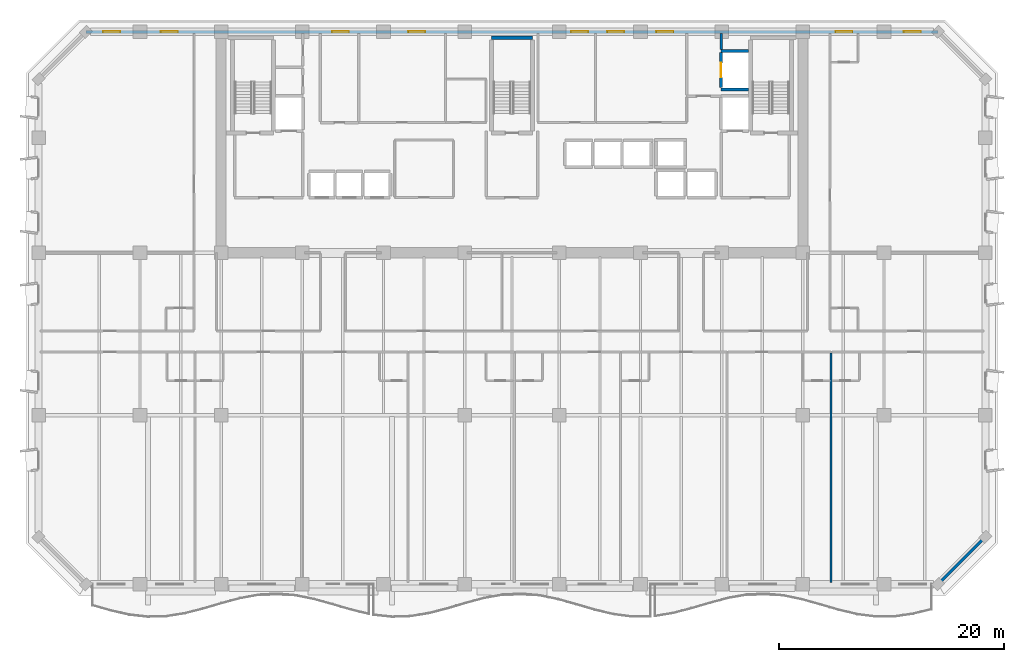
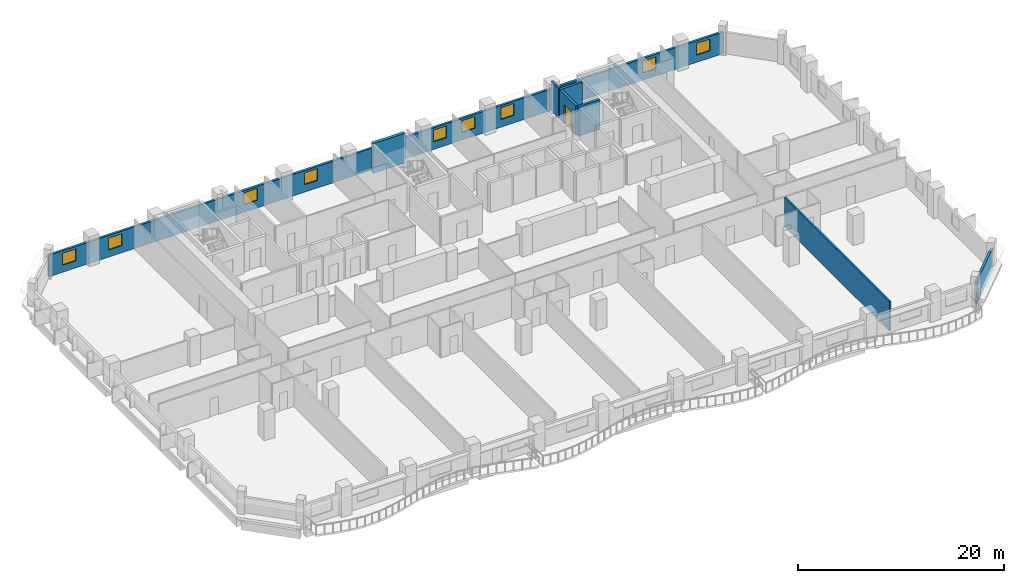
# One storey, part 8 of 14: 9 windows, 8 walls, 1 door, 10 openings.
"""IFC4 building model written with IfcOpenShell, lengths in metres."""

import ifcopenshell
import ifcopenshell.guid

model = None  # the IFC model being written
_history = None  # IfcOwnerHistory: only IFC2X3 demands one
_inside = {}  # id of a spatial element -> (the spatial element, [elements in it])
_under = {}  # id of a project, library or spatial element -> (it, [spatial elements below it])
_declared = {}  # id of a project -> (the project, [libraries it declares])
_typed = {}  # id of a type object -> (the type object, [elements of that type])
_made_of = {}  # id of a material, layer set ... -> (it, [elements and type objects made of it])


def new_model(schema):
    """Start an empty IFC model of exactly this schema.

    Asked for "IFC4X3", IfcOpenShell would pick the latest addendum, in which some entities
    have other attributes; the version numbers below select the first issue.
    IFC2X3 requires an IfcOwnerHistory on every rooted entity: one is made here for all.
    """
    global model, _history
    if schema == "IFC4X3":
        model = ifcopenshell.file(schema_version=(4, 3, 0, 0))
    else:
        model = ifcopenshell.file(schema=schema)
    _inside.clear()
    _under.clear()
    _declared.clear()
    _typed.clear()
    _made_of.clear()
    _history = None
    if model.schema == "IFC2X3":
        org = make("IfcOrganization", Name="unknown")
        user = make(
            "IfcPersonAndOrganization",
            ThePerson=make("IfcPerson", FamilyName="unknown"),
            TheOrganization=org,
        )
        app = make(
            "IfcApplication",
            ApplicationDeveloper=org,
            Version="unknown",
            ApplicationFullName="unknown",
            ApplicationIdentifier="unknown",
        )
        _history = make(
            "IfcOwnerHistory",
            OwningUser=user,
            OwningApplication=app,
            ChangeAction="ADDED",
            CreationDate=0,
        )
    return model


def make(cls, **values):
    """One entity of the class cls with the attributes given. An attribute that is None is left unset."""
    return model.create_entity(
        cls, **{name: value for name, value in values.items() if value is not None}
    )


def rooted(cls, **values):
    """An entity with a GlobalId (a new one), such as an element, a storey or a relation."""
    return make(cls, GlobalId=ifcopenshell.guid.new(), OwnerHistory=_history, **values)


def si_unit(unit_type, name, prefix=None):
    """IfcSIUnit, for example si_unit("LENGTHUNIT", "METRE", prefix="MILLI")."""
    return make("IfcSIUnit", UnitType=unit_type, Prefix=prefix, Name=name)


def assignment(units):
    """IfcUnitAssignment: the units of a project."""
    return None if units is None else make("IfcUnitAssignment", Units=units)


def point(xyz):
    """IfcCartesianPoint."""
    return None if xyz is None else make("IfcCartesianPoint", Coordinates=xyz)


def direction(xyz):
    """IfcDirection."""
    return None if xyz is None else make("IfcDirection", DirectionRatios=xyz)


def frame(location, z_axis=None, x_axis=None):
    """IfcAxis2Placement3D, a coordinate frame: its origin and axes. An axis left out is left unset."""
    return make(
        "IfcAxis2Placement3D",
        Location=point(location),
        Axis=direction(z_axis),
        RefDirection=direction(x_axis),
    )


def frame_2d(location, x_axis=None):
    """IfcAxis2Placement2D, a coordinate frame in the plane: its origin and x axis."""
    return make(
        "IfcAxis2Placement2D", Location=point(location), RefDirection=direction(x_axis)
    )


def origin():
    """The frame at (0, 0, 0) with its axes left unset."""
    return frame((0.0, 0.0, 0.0))


def place(relative_to, where):
    """IfcLocalPlacement: puts the frame where relative to a parent placement (None: the world)."""
    return make(
        "IfcLocalPlacement", PlacementRelTo=relative_to, RelativePlacement=where
    )


def context(
    kind, dimensions, precision=None, world=None, true_north=None, identifier=None
):
    """IfcGeometricRepresentationContext, for example the 3D "Model" context."""
    return make(
        "IfcGeometricRepresentationContext",
        ContextIdentifier=identifier,
        ContextType=kind,
        CoordinateSpaceDimension=dimensions,
        Precision=precision,
        WorldCoordinateSystem=world,
        TrueNorth=true_north,
    )


def subcontext(parent, identifier, kind, view, scale=None):
    """IfcGeometricRepresentationSubContext, for example "Body" below "Model"."""
    return make(
        "IfcGeometricRepresentationSubContext",
        ContextIdentifier=identifier,
        ContextType=kind,
        ParentContext=parent,
        TargetScale=scale,
        TargetView=view,
    )


def project(units=None, contexts=None):
    """IfcProject with its units and contexts."""
    return rooted(
        "IfcProject",
        Name="project",
        RepresentationContexts=contexts,
        UnitsInContext=assignment(units),
    )


def spatial(cls, under=None, at=None, **own):
    """A site, building, storey or space (cls), placed at a placement, below another one or the project."""
    s = rooted(cls, ObjectPlacement=at, **own)
    if under is not None:
        _under.setdefault(under.id(), (under, []))[1].append(s)
    return s


def profile(cls, at=None, kind="AREA", **sizes):
    """A parametric profile (cls). Its sizes go by their IFC names, for example OverallWidth=200.0."""
    return make(cls, ProfileType=kind, Position=at, **sizes)


def rectangle(**sizes):
    """IfcRectangleProfileDef."""
    return profile("IfcRectangleProfileDef", **sizes)


def extrude(swept, where, along, depth):
    """IfcExtrudedAreaSolid: the profile swept, set in the frame where, extruded along a direction by depth."""
    return make(
        "IfcExtrudedAreaSolid",
        SweptArea=swept,
        Position=where,
        ExtrudedDirection=direction(along),
        Depth=depth,
    )


def shape(context_of_items, identifier, shape_type, items):
    """IfcShapeRepresentation: the items that make up one representation, for example the "Body"."""
    return make(
        "IfcShapeRepresentation",
        ContextOfItems=context_of_items,
        RepresentationIdentifier=identifier,
        RepresentationType=shape_type,
        Items=items,
    )


def material(Name=None, Category=None):
    """IfcMaterial."""
    return make("IfcMaterial", Name=Name, Category=Category)


def layer(
    of_material, thickness, ventilated=None, Name=None, Category=None, Priority=None
):
    """IfcMaterialLayer: one layer of a wall or slab, of a material (None: an air gap)."""
    return make(
        "IfcMaterialLayer",
        Material=of_material,
        LayerThickness=thickness,
        IsVentilated=ventilated,
        Name=Name,
        Category=Category,
        Priority=Priority,
    )


def layer_set(layers, Name=None):
    """IfcMaterialLayerSet."""
    return make("IfcMaterialLayerSet", MaterialLayers=layers, LayerSetName=Name)


def made_of(thing, what):
    """Note that an element or type object is made of a material, layer set ...; save() writes the relation."""
    if what is not None:
        _made_of.setdefault(what.id(), (what, []))[1].append(thing)
    return thing


def type_object(cls, material=None, **own):
    """A type object (cls), such as IfcWallType, which elements share."""
    return made_of(rooted(cls, **own), material)


def element(
    cls,
    number,
    at=None,
    inside=None,
    cuts=None,
    type_object=None,
    material=None,
    context=None,
    identifier="Body",
    shape_type=None,
    held_by="IfcProductDefinitionShape",
    body=None,
    shapes=None,
    **own,
):
    """One element of the class cls, such as IfcWall. Its Tag is "e" and its number.

    at: its placement. inside: the storey or other place that contains it. cuts: it is an
    opening in that element (IfcRelVoidsElement). A single representation is given by context,
    identifier, shape_type and body (its items); several are given by shapes. held_by: the class
    of the entity that holds the representations. save() writes the other relations.
    """
    e = rooted(cls, Tag="e%d" % number, ObjectPlacement=at, **own)
    if body is not None:
        shapes = [shape(context, identifier, shape_type, body)]
    if shapes is not None:
        e.Representation = make(held_by, Representations=shapes)
    if inside is not None:
        _inside.setdefault(inside.id(), (inside, []))[1].append(e)
    if cuts is not None:
        rooted(
            "IfcRelVoidsElement", RelatingBuildingElement=cuts, RelatedOpeningElement=e
        )
    if type_object is not None:
        _typed.setdefault(type_object.id(), (type_object, []))[1].append(e)
    return made_of(e, material)


def fill(opening, filler):
    """IfcRelFillsElement: the door or window that sits in an opening."""
    return rooted(
        "IfcRelFillsElement",
        RelatingOpeningElement=opening,
        RelatedBuildingElement=filler,
    )


def aggregate(whole, parts):
    """IfcRelAggregates: a whole, such as a stair, and the parts it consists of."""
    return rooted("IfcRelAggregates", RelatingObject=whole, RelatedObjects=parts)


def save(model, path):
    """Write the relations noted so far, then the file.

    IfcRelAggregates (storeys below a building ...), IfcRelContainedInSpatialStructure (elements
    in a storey), IfcRelDefinesByType, IfcRelAssociatesMaterial and IfcRelDeclares: one each for
    every whole, place, type object, material and project.
    """
    for whole, parts in _under.values():
        aggregate(whole, parts)
    for where, things in _inside.values():
        rooted(
            "IfcRelContainedInSpatialStructure",
            RelatedElements=things,
            RelatingStructure=where,
        )
    for kind, things in _typed.values():
        rooted("IfcRelDefinesByType", RelatedObjects=things, RelatingType=kind)
    for what, things in _made_of.values():
        rooted("IfcRelAssociatesMaterial", RelatedObjects=things, RelatingMaterial=what)
    for by, libraries in _declared.values():
        rooted("IfcRelDeclares", RelatingContext=by, RelatedDefinitions=libraries)
    model.write(path)


model = new_model("IFC4")

# Units and contexts
model_context = context("Model", 3, precision=1e-05, world=origin(), true_north=direction((0.0, 1.0)))
body_context = subcontext(model_context, "Body", "Model", "MODEL_VIEW")
ifc_project = project(units=[si_unit("LENGTHUNIT", "METRE"), si_unit("AREAUNIT", "SQUARE_METRE"), si_unit("VOLUMEUNIT", "CUBIC_METRE"), si_unit("PLANEANGLEUNIT", "RADIAN"), si_unit("MASSUNIT", "GRAM", prefix="KILO")], contexts=[model_context])

# Site, building, storey
site_placement = place(None, origin())
site = spatial("IfcSite", under=ifc_project, at=site_placement, CompositionType="ELEMENT")
building_placement = place(site_placement, origin())
building = spatial("IfcBuilding", under=site, at=building_placement, Name="Kaelvorn Grand Hotel", CompositionType="ELEMENT")
storey_placement = place(building_placement, frame((0.0, 0.0, 89.300048828125)))
storey = spatial("IfcBuildingStorey", under=building, at=storey_placement, Name="L20", CompositionType="ELEMENT", Elevation=89.300048828125)

# Wall
ifc_material_1 = material(Name="Concrete C40/50", Category="concrete")
ifc_layer_1 = layer(ifc_material_1, 0.260009765625)
ifc_layer_set_1 = layer_set([ifc_layer_1], Name="Concrete C40/50")
wall_type_1 = type_object("IfcWallType", Name="WL-EXT-260-C40", PredefinedType="SOLIDWALL", material=ifc_layer_set_1)
wall_1_placement = place(storey_placement, frame((79.800048828125, 0.0, 0.0), z_axis=(0.0, 0.0, 1.0), x_axis=(0.707106781187, 0.707106781187, 0.0)))
element("IfcWall", 1, at=wall_1_placement, inside=storey, type_object=wall_type_1, Name="L20 Exterior Architectural Concrete Wall 02", PredefinedType="SOLIDWALL", context=body_context, shape_type="SweptSolid", body=[
    extrude(rectangle(XDim=5.939697265625, YDim=0.260009765625, at=frame_2d((2.9697265625, 0.0))), origin(), (0.0, 0.0, 1.0), 2.56005859375),
])

# Wall, openings, windows
wall_2_placement = place(storey_placement, frame((79.800048828125, 49.0, 0.0), z_axis=(0.0, 0.0, 1.0), x_axis=(-1.0, 0.0, 0.0)))
wall_2 = element("IfcWall", 2, at=wall_2_placement, inside=storey, type_object=wall_type_1, Name="L20 Exterior Architectural Concrete Wall 05", PredefinedType="SOLIDWALL", context=body_context, shape_type="SweptSolid", body=[
    extrude(rectangle(XDim=75.60009765625, YDim=0.260009765625, at=frame_2d((37.800048828125, 0.0))), origin(), (0.0, 0.0, 1.0), 2.56005859375),
])
opening_1_placement = place(wall_2_placement, frame((72.56494140625, 0.0, 0.85009765625)))
opening_1 = element("IfcOpeningElement", 3, at=opening_1_placement, cuts=wall_2, Name="Opening W10", PredefinedType="OPENING", context=body_context, shape_type="SweptSolid", body=[
    extrude(rectangle(XDim=1.5, YDim=1.39990234375, at=frame_2d((0.75, 0.699951171875))), frame((0.0, 0.14013671875, 0.0), z_axis=(0.0, -1.0, 0.0), x_axis=(1.0, 0.0, 0.0)), (0.0, 0.0, 1.0), 0.280029296875),
])
opening_2_placement = place(wall_2_placement, frame((67.449951171875, 0.0, 0.85009765625)))
opening_2 = element("IfcOpeningElement", 4, at=opening_2_placement, cuts=wall_2, Name="Opening W10", PredefinedType="OPENING", context=body_context, shape_type="SweptSolid", body=[
    extrude(rectangle(XDim=1.5, YDim=1.39990234375, at=frame_2d((0.75, 0.699951171875))), frame((0.0, 0.14013671875, 0.0), z_axis=(0.0, -1.0, 0.0), x_axis=(1.0, 0.0, 0.0)), (0.0, 0.0, 1.0), 0.280029296875),
])
opening_3_placement = place(wall_2_placement, frame((7.60009765625, 0.0, 0.85009765625)))
opening_3 = element("IfcOpeningElement", 5, at=opening_3_placement, cuts=wall_2, Name="Opening W10", PredefinedType="OPENING", context=body_context, shape_type="SweptSolid", body=[
    extrude(rectangle(XDim=1.5, YDim=1.39990234375, at=frame_2d((0.75, 0.699951171875))), frame((0.0, 0.14013671875, 0.0), z_axis=(0.0, -1.0, 0.0), x_axis=(1.0, 0.0, 0.0)), (0.0, 0.0, 1.0), 0.280029296875),
])
opening_4_placement = place(wall_2_placement, frame((1.534912109375, 0.0, 0.85009765625)))
opening_4 = element("IfcOpeningElement", 6, at=opening_4_placement, cuts=wall_2, Name="Opening W10", PredefinedType="OPENING", context=body_context, shape_type="SweptSolid", body=[
    extrude(rectangle(XDim=1.5, YDim=1.39990234375, at=frame_2d((0.75, 0.699951171875))), frame((0.0, 0.14013671875, 0.0), z_axis=(0.0, -1.0, 0.0), x_axis=(1.0, 0.0, 0.0)), (0.0, 0.0, 1.0), 0.280029296875),
])
opening_5_placement = place(wall_2_placement, frame((52.264892578125, 0.0, 0.89990234375)))
opening_5 = element("IfcOpeningElement", 7, at=opening_5_placement, cuts=wall_2, Name="Opening W10", PredefinedType="OPENING", context=body_context, shape_type="SweptSolid", body=[
    extrude(rectangle(XDim=1.5, YDim=1.39990234375, at=frame_2d((0.75, 0.699951171875))), frame((0.0, 0.14013671875, 0.0), z_axis=(0.0, -1.0, 0.0), x_axis=(1.0, 0.0, 0.0)), (0.0, 0.0, 1.0), 0.280029296875),
])
opening_6_placement = place(wall_2_placement, frame((45.5, 0.0, 0.89990234375)))
opening_6 = element("IfcOpeningElement", 8, at=opening_6_placement, cuts=wall_2, Name="Opening W10", PredefinedType="OPENING", context=body_context, shape_type="SweptSolid", body=[
    extrude(rectangle(XDim=1.5, YDim=1.39990234375, at=frame_2d((0.75, 0.699951171875))), frame((0.0, 0.14013671875, 0.0), z_axis=(0.0, -1.0, 0.0), x_axis=(1.0, 0.0, 0.0)), (0.0, 0.0, 1.0), 0.280029296875),
])
opening_7_placement = place(wall_2_placement, frame((31.050048828125, 0.0, 0.89990234375)))
opening_7 = element("IfcOpeningElement", 9, at=opening_7_placement, cuts=wall_2, Name="Opening W10", PredefinedType="OPENING", context=body_context, shape_type="SweptSolid", body=[
    extrude(rectangle(XDim=1.5, YDim=1.39990234375, at=frame_2d((0.75, 0.699951171875))), frame((0.0, 0.14013671875, 0.0), z_axis=(0.0, -1.0, 0.0), x_axis=(1.0, 0.0, 0.0)), (0.0, 0.0, 1.0), 0.280029296875),
])
opening_8_placement = place(wall_2_placement, frame((27.85009765625, 0.0, 0.89990234375)))
opening_8 = element("IfcOpeningElement", 10, at=opening_8_placement, cuts=wall_2, Name="Opening W10", PredefinedType="OPENING", context=body_context, shape_type="SweptSolid", body=[
    extrude(rectangle(XDim=1.5, YDim=1.39990234375, at=frame_2d((0.75, 0.699951171875))), frame((0.0, 0.14013671875, 0.0), z_axis=(0.0, -1.0, 0.0), x_axis=(1.0, 0.0, 0.0)), (0.0, 0.0, 1.0), 0.280029296875),
])
opening_9_placement = place(wall_2_placement, frame((23.485107421875, 0.0, 0.89990234375)))
opening_9 = element("IfcOpeningElement", 11, at=opening_9_placement, cuts=wall_2, Name="Opening W10", PredefinedType="OPENING", context=body_context, shape_type="SweptSolid", body=[
    extrude(rectangle(XDim=1.5, YDim=1.39990234375, at=frame_2d((0.75, 0.699951171875))), frame((0.0, 0.14013671875, 0.0), z_axis=(0.0, -1.0, 0.0), x_axis=(1.0, 0.0, 0.0)), (0.0, 0.0, 1.0), 0.280029296875),
])
ifc_material_2 = material(Name="Laminated Low-E Glass", Category="glass")
window_type = type_object("IfcWindowType", Name="WIN-COR-1500x1400", PartitioningType="SINGLE_PANEL", PredefinedType="WINDOW", material=ifc_material_2)
window_1_placement = place(opening_1_placement, origin())
window_1 = element("IfcWindow", 12, at=window_1_placement, inside=storey, type_object=window_type, Name="L20 North Wing Ribbon Window NW01", OverallHeight=1.39990234375, OverallWidth=1.5, PartitioningType="SINGLE_PANEL", PredefinedType="WINDOW", context=body_context, shape_type="SweptSolid", body=[
    extrude(rectangle(XDim=1.5, YDim=1.39990234375, at=frame_2d((0.75, 0.699951171875))), frame((0.0, 0.030029296875, 0.0), z_axis=(0.0, -1.0, 0.0), x_axis=(1.0, 0.0, 0.0)), (0.0, 0.0, 1.0), 0.06005859375),
])
fill(opening_1, window_1)
window_2_placement = place(opening_2_placement, origin())
window_2 = element("IfcWindow", 13, at=window_2_placement, inside=storey, type_object=window_type, Name="L20 North Wing Ribbon Window NW02", OverallHeight=1.39990234375, OverallWidth=1.5, PartitioningType="SINGLE_PANEL", PredefinedType="WINDOW", context=body_context, shape_type="SweptSolid", body=[
    extrude(rectangle(XDim=1.5, YDim=1.39990234375, at=frame_2d((0.75, 0.699951171875))), frame((0.0, 0.030029296875, 0.0), z_axis=(0.0, -1.0, 0.0), x_axis=(1.0, 0.0, 0.0)), (0.0, 0.0, 1.0), 0.06005859375),
])
fill(opening_2, window_2)
window_3_placement = place(opening_3_placement, origin())
window_3 = element("IfcWindow", 14, at=window_3_placement, inside=storey, type_object=window_type, Name="L20 North Wing Ribbon Window NW03", OverallHeight=1.39990234375, OverallWidth=1.5, PartitioningType="SINGLE_PANEL", PredefinedType="WINDOW", context=body_context, shape_type="SweptSolid", body=[
    extrude(rectangle(XDim=1.5, YDim=1.39990234375, at=frame_2d((0.75, 0.699951171875))), frame((0.0, 0.030029296875, 0.0), z_axis=(0.0, -1.0, 0.0), x_axis=(1.0, 0.0, 0.0)), (0.0, 0.0, 1.0), 0.06005859375),
])
fill(opening_3, window_3)
window_4_placement = place(opening_4_placement, origin())
window_4 = element("IfcWindow", 15, at=window_4_placement, inside=storey, type_object=window_type, Name="L20 North Wing Ribbon Window NW04", OverallHeight=1.39990234375, OverallWidth=1.5, PartitioningType="SINGLE_PANEL", PredefinedType="WINDOW", context=body_context, shape_type="SweptSolid", body=[
    extrude(rectangle(XDim=1.5, YDim=1.39990234375, at=frame_2d((0.75, 0.699951171875))), frame((0.0, 0.030029296875, 0.0), z_axis=(0.0, -1.0, 0.0), x_axis=(1.0, 0.0, 0.0)), (0.0, 0.0, 1.0), 0.06005859375),
])
fill(opening_4, window_4)
window_5_placement = place(opening_5_placement, origin())
window_5 = element("IfcWindow", 16, at=window_5_placement, inside=storey, type_object=window_type, Name="L20 North Core Clerestory Ribbon Window NC05", OverallHeight=1.39990234375, OverallWidth=1.5, PartitioningType="SINGLE_PANEL", PredefinedType="WINDOW", context=body_context, shape_type="SweptSolid", body=[
    extrude(rectangle(XDim=1.5, YDim=1.39990234375, at=frame_2d((0.75, 0.699951171875))), frame((0.0, 0.030029296875, 0.0), z_axis=(0.0, -1.0, 0.0), x_axis=(1.0, 0.0, 0.0)), (0.0, 0.0, 1.0), 0.06005859375),
])
fill(opening_5, window_5)
window_6_placement = place(opening_6_placement, origin())
window_6 = element("IfcWindow", 17, at=window_6_placement, inside=storey, type_object=window_type, Name="L20 North Core Clerestory Ribbon Window NC06", OverallHeight=1.39990234375, OverallWidth=1.5, PartitioningType="SINGLE_PANEL", PredefinedType="WINDOW", context=body_context, shape_type="SweptSolid", body=[
    extrude(rectangle(XDim=1.5, YDim=1.39990234375, at=frame_2d((0.75, 0.699951171875))), frame((0.0, 0.030029296875, 0.0), z_axis=(0.0, -1.0, 0.0), x_axis=(1.0, 0.0, 0.0)), (0.0, 0.0, 1.0), 0.06005859375),
])
fill(opening_6, window_6)
window_7_placement = place(opening_7_placement, origin())
window_7 = element("IfcWindow", 18, at=window_7_placement, inside=storey, type_object=window_type, Name="L20 North Core Clerestory Ribbon Window NC07", OverallHeight=1.39990234375, OverallWidth=1.5, PartitioningType="SINGLE_PANEL", PredefinedType="WINDOW", context=body_context, shape_type="SweptSolid", body=[
    extrude(rectangle(XDim=1.5, YDim=1.39990234375, at=frame_2d((0.75, 0.699951171875))), frame((0.0, 0.030029296875, 0.0), z_axis=(0.0, -1.0, 0.0), x_axis=(1.0, 0.0, 0.0)), (0.0, 0.0, 1.0), 0.06005859375),
])
fill(opening_7, window_7)
window_8_placement = place(opening_8_placement, origin())
window_8 = element("IfcWindow", 19, at=window_8_placement, inside=storey, type_object=window_type, Name="L20 North Core Clerestory Ribbon Window NC08", OverallHeight=1.39990234375, OverallWidth=1.5, PartitioningType="SINGLE_PANEL", PredefinedType="WINDOW", context=body_context, shape_type="SweptSolid", body=[
    extrude(rectangle(XDim=1.5, YDim=1.39990234375, at=frame_2d((0.75, 0.699951171875))), frame((0.0, 0.030029296875, 0.0), z_axis=(0.0, -1.0, 0.0), x_axis=(1.0, 0.0, 0.0)), (0.0, 0.0, 1.0), 0.06005859375),
])
fill(opening_8, window_8)
window_9_placement = place(opening_9_placement, origin())
window_9 = element("IfcWindow", 20, at=window_9_placement, inside=storey, type_object=window_type, Name="L20 North Core Clerestory Ribbon Window NC09", OverallHeight=1.39990234375, OverallWidth=1.5, PartitioningType="SINGLE_PANEL", PredefinedType="WINDOW", context=body_context, shape_type="SweptSolid", body=[
    extrude(rectangle(XDim=1.5, YDim=1.39990234375, at=frame_2d((0.75, 0.699951171875))), frame((0.0, 0.030029296875, 0.0), z_axis=(0.0, -1.0, 0.0), x_axis=(1.0, 0.0, 0.0)), (0.0, 0.0, 1.0), 0.06005859375),
])
fill(opening_9, window_9)

# Walls
ifc_material_3 = material(Name="Acoustic Gypsum & Stud Partition")
ifc_layer_2 = layer(ifc_material_3, 0.179931640625)
ifc_layer_set_2 = layer_set([ifc_layer_2], Name="Acoustic Gypsum & Stud Partition")
wall_type_2 = type_object("IfcWallType", Name="WL-PART-180-EI60", PredefinedType="PARTITIONING", material=ifc_layer_set_2)
wall_3_placement = place(storey_placement, frame((70.31298828125, 0.14990234375, 0.0), z_axis=(0.0, 0.0, 1.0), x_axis=(0.0, 1.0, 0.0)))
element("IfcWall", 21, at=wall_3_placement, inside=storey, type_object=wall_type_2, Name="L20 Deluxe Panoramic Suite L20-07 E Partition", PredefinedType="PARTITIONING", context=body_context, shape_type="SweptSolid", body=[
    extrude(rectangle(XDim=20.35498046875, YDim=0.179931640625, at=frame_2d((10.177490234375, 0.0))), origin(), (0.0, 0.0, 1.0), 3.510009765625),
])
ifc_layer_3 = layer(ifc_material_1, 0.219970703125)
ifc_layer_set_3 = layer_set([ifc_layer_3], Name="Concrete C40/50")
wall_type_3 = type_object("IfcWallType", Name="WL-PART-220-EI120", PredefinedType="PARTITIONING", material=ifc_layer_set_3)
wall_4_placement = place(storey_placement, frame((60.550048828125, 47.445068359375, 0.0), z_axis=(0.0, 0.0, 1.0), x_axis=(0.0, 1.0, 0.0)))
element("IfcWall", 22, at=wall_4_placement, inside=storey, type_object=wall_type_3, Name="L20 Service Lift Lobby E Partition", PredefinedType="PARTITIONING", context=body_context, shape_type="SweptSolid", body=[
    extrude(rectangle(XDim=1.405029296875, YDim=0.219970703125, at=frame_2d((0.70263671875, 0.0))), origin(), (0.0, 0.0, 1.0), 3.510009765625),
])
ifc_material_4 = material(Name="Concrete C50/60", Category="concrete")
ifc_layer_4 = layer(ifc_material_4, 0.280029296875)
ifc_layer_set_4 = layer_set([ifc_layer_4], Name="Concrete C50/60")
wall_type_4 = type_object("IfcWallType", Name="WL-SHAFT-280-C50", PredefinedType="SHEAR", material=ifc_layer_set_4)
for number, where, z_axis, x_axis, name in (
    (23, (60.550048828125, 43.89990234375, 0.0), (0.0, 0.0, 1.0), (1.0, 0.0, 0.0), "L20 Lift SV1 Shaft South Wall"),
    (24, (60.550048828125, 47.300048828125, 0.0), (0.0, 0.0, 1.0), (1.0, 0.0, 0.0), "L20 Lift SV1 Shaft North Wall"),
):
    element("IfcWall", number, at=place(storey_placement, frame(where, z_axis=z_axis, x_axis=x_axis)), inside=storey, type_object=wall_type_4, Name=name, PredefinedType="SHEAR", context=body_context, shape_type="SweptSolid", body=[
        extrude(rectangle(XDim=2.4150390625, YDim=0.280029296875, at=frame_2d((1.20751953125, 0.0))), origin(), (0.0, 0.0, 1.0), 3.510009765625),
    ])

# Wall, opening, door
wall_5_placement = place(storey_placement, frame((60.550048828125, 44.044921875, 0.0), z_axis=(0.0, 0.0, 1.0), x_axis=(0.0, 1.0, 0.0)))
wall_5 = element("IfcWall", 25, at=wall_5_placement, inside=storey, type_object=wall_type_4, Name="L20 Lift SV1 Shaft West Wall", PredefinedType="SHEAR", context=body_context, shape_type="SweptSolid", body=[
    extrude(rectangle(XDim=3.110107421875, YDim=0.280029296875, at=frame_2d((1.55517578125, 0.0))), origin(), (0.0, 0.0, 1.0), 3.510009765625),
])
opening_10_placement = place(wall_5_placement, frame((0.905029296875, 0.0, 0.0)))
opening_10 = element("IfcOpeningElement", 26, at=opening_10_placement, cuts=wall_5, Name="Opening LD-SV1", PredefinedType="OPENING", context=body_context, shape_type="SweptSolid", body=[
    extrude(rectangle(XDim=1.300048828125, YDim=2.300048828125, at=frame_2d((0.64990234375, 1.14990234375))), frame((0.0, 0.14990234375, 0.0), z_axis=(0.0, -1.0, 0.0), x_axis=(1.0, 0.0, 0.0)), (0.0, 0.0, 1.0), 0.300048828125),
])
ifc_material_5 = material(Name="Stainless Steel", Category="steel")
door_type = type_object("IfcDoorType", Name="DR-LIFT-SERV-1300x2300", OperationType="DOUBLE_DOOR_SLIDING", PredefinedType="DOOR", material=ifc_material_5)
door_placement = place(opening_10_placement, origin())
door = element("IfcDoor", 27, at=door_placement, inside=storey, type_object=door_type, Name="L20 Lift SV1 Sliding Landing Door LD-SV1", OperationType="DOUBLE_DOOR_SLIDING", OverallHeight=2.300048828125, OverallWidth=1.300048828125, PredefinedType="DOOR", context=body_context, shape_type="SweptSolid", body=[
    extrude(rectangle(XDim=1.300048828125, YDim=2.300048828125, at=frame_2d((0.64990234375, 1.14990234375))), frame((0.0, 0.02490234375, 0.0), z_axis=(0.0, -1.0, 0.0), x_axis=(1.0, 0.0, 0.0)), (0.0, 0.0, 1.0), 0.050048828125),
])
fill(opening_10, door)

# Wall
ifc_material_6 = material(Name="Concrete C60/75", Category="concrete")
ifc_layer_5 = layer(ifc_material_6, 0.35009765625)
ifc_layer_set_5 = layer_set([ifc_layer_5], Name="Concrete C60/75")
wall_type_5 = type_object("IfcWallType", Name="WL-SHAFT-350-C60", PredefinedType="SHEAR", material=ifc_layer_set_5)
wall_6_placement = place(storey_placement, frame((40.18505859375, 48.47509765625, 0.0), z_axis=(0.0, 0.0, 1.0), x_axis=(1.0, 0.0, 0.0)))
element("IfcWall", 28, at=wall_6_placement, inside=storey, type_object=wall_type_5, Name="L20 ST2 Stair Shaft North Wall", PredefinedType="SHEAR", context=body_context, shape_type="SweptSolid", body=[
    extrude(rectangle(XDim=3.6298828125, YDim=0.35009765625, at=frame_2d((1.81494140625, 0.0))), origin(), (0.0, 0.0, 1.0), 3.510009765625),
])

save(model, "model.ifc")
